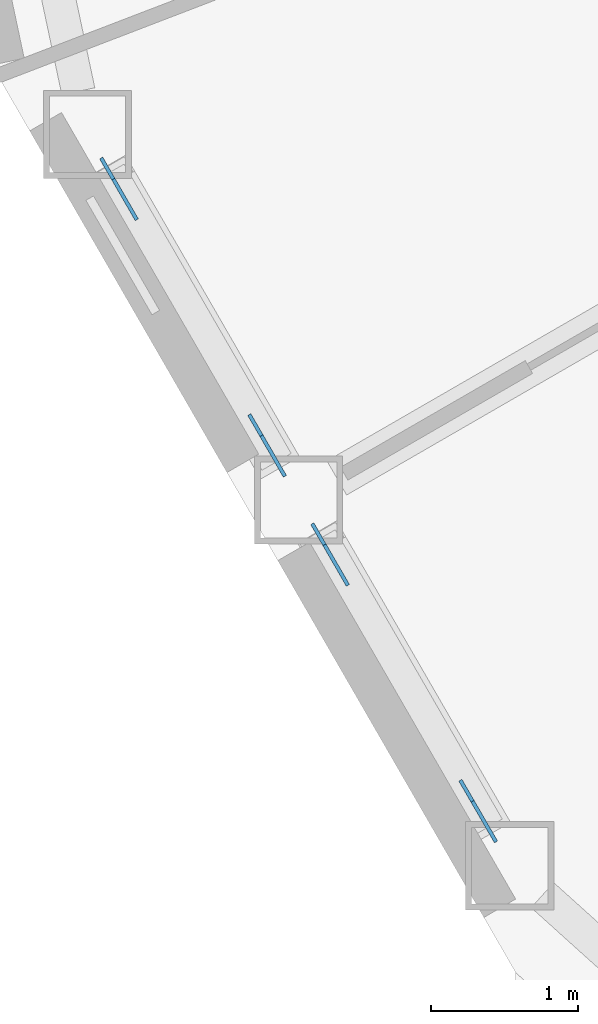
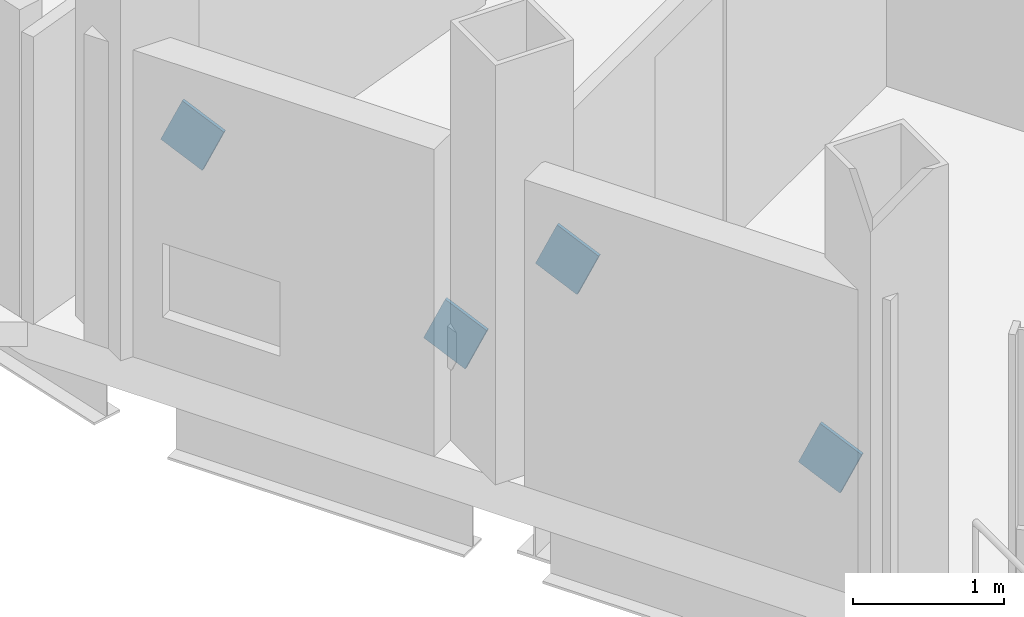
# One storey, part 20 of 28: 4 discrete accessories.
"""IFC4 building model written with IfcOpenShell, lengths in metres."""

from ifc_helpers import new_model, si_unit, direction, frame, origin, origin_2d, place, context, subcontext, project, spatial, rectangle, extrude, material, material_profile, profile_set, type_object, element, save


model = new_model("IFC4")

# Units and contexts
model_context = context("Model", 3, precision=1e-05, world=origin(), true_north=direction((0.0, 1.0)))
body_context = subcontext(model_context, "Body", "Model", "MODEL_VIEW")
ifc_project = project(units=[si_unit("LENGTHUNIT", "METRE"), si_unit("AREAUNIT", "SQUARE_METRE"), si_unit("VOLUMEUNIT", "CUBIC_METRE"), si_unit("PLANEANGLEUNIT", "RADIAN"), si_unit("MASSUNIT", "GRAM", prefix="KILO")], contexts=[model_context])

# Site, building, storey
site_placement = place(None, origin())
site = spatial("IfcSite", under=ifc_project, at=site_placement, CompositionType="ELEMENT")
building_placement = place(site_placement, origin())
building = spatial("IfcBuilding", under=site, at=building_placement, Name="Cormorant Prow Tower", CompositionType="ELEMENT")
storey_placement = place(building_placement, frame((0.0, 0.0, 305.199951171875)))
storey = spatial("IfcBuildingStorey", under=building, at=storey_placement, Name="L66", CompositionType="ELEMENT", Elevation=305.199951171875)

# Discrete accessories
ifc_material = material(Name="Structural steel ASTM A500 Gr C", Category="steel")
ifc_material_profile = material_profile(ifc_material, rectangle(XDim=0.02490234375, YDim=0.405029296875, at=origin_2d()), Name="Gusset plate 25x405")
ifc_profile_set = profile_set([ifc_material_profile], Name="Structural steel ASTM A500 Gr C")
discrete_accessory_type = type_object("IfcDiscreteAccessoryType", Name="Gusset plate 25x405", PredefinedType="BRACKET", material=ifc_profile_set)
for number, where, z_axis, x_axis, name in (
    (1, (-27.7265625, -15.328369140625, 0.86376953125), (0.456239480558, -0.790396531303, -0.408801736402), (0.866071029786, 0.499920965119, 0.0), "Gusset plate GP3 L66.WSW00.g0"),
    (2, (-28.574951171875, -13.85888671875, 1.624267578125), (-0.456239480558, 0.790396531303, 0.408801736402), (-0.866071029786, -0.499920965119, 0.0), "Gusset plate GP3 L66.WSW00.g1"),
):
    element("IfcDiscreteAccessory", number, at=place(storey_placement, frame(where, z_axis=z_axis, x_axis=x_axis)), inside=storey, type_object=discrete_accessory_type, Name=name, PredefinedType="BRACKET", context=body_context, shape_type="SweptSolid", body=[
        extrude(rectangle(XDim=0.02490234375, YDim=0.405029296875, at=origin_2d()), origin(), (0.0, 0.0, 1.0), 0.349853515625),
    ])
discrete_accessory_1_placement = place(storey_placement, frame((-26.289794921875, -17.817138671875, 0.86376953125), z_axis=(0.456791619277, -0.790144892581, -0.408671586101), x_axis=(0.865740004385, 0.50049400077, 0.0)))
element("IfcDiscreteAccessory", 3, at=discrete_accessory_1_placement, inside=storey, type_object=discrete_accessory_type, Name="Gusset plate GP3 L66.WSW01.g0", PredefinedType="BRACKET", context=body_context, shape_type="SweptSolid", body=[
    extrude(rectangle(XDim=0.02490234375, YDim=0.405029296875, at=origin_2d()), origin(), (0.0, 0.0, 1.0), 0.35009765625),
])
discrete_accessory_2_placement = place(storey_placement, frame((-27.137939453125, -16.34765625, 1.624267578125), z_axis=(-0.45649114423, 0.790134518758, 0.409027233209), x_axis=(-0.865879799044, -0.500252110048, 0.0)))
element("IfcDiscreteAccessory", 4, at=discrete_accessory_2_placement, inside=storey, type_object=discrete_accessory_type, Name="Gusset plate GP3 L66.WSW01.g1", PredefinedType="BRACKET", context=body_context, shape_type="SweptSolid", body=[
    extrude(rectangle(XDim=0.02490234375, YDim=0.405029296875, at=origin_2d()), origin(), (0.0, 0.0, 1.0), 0.349853515625),
])

save(model, "model.ifc")
